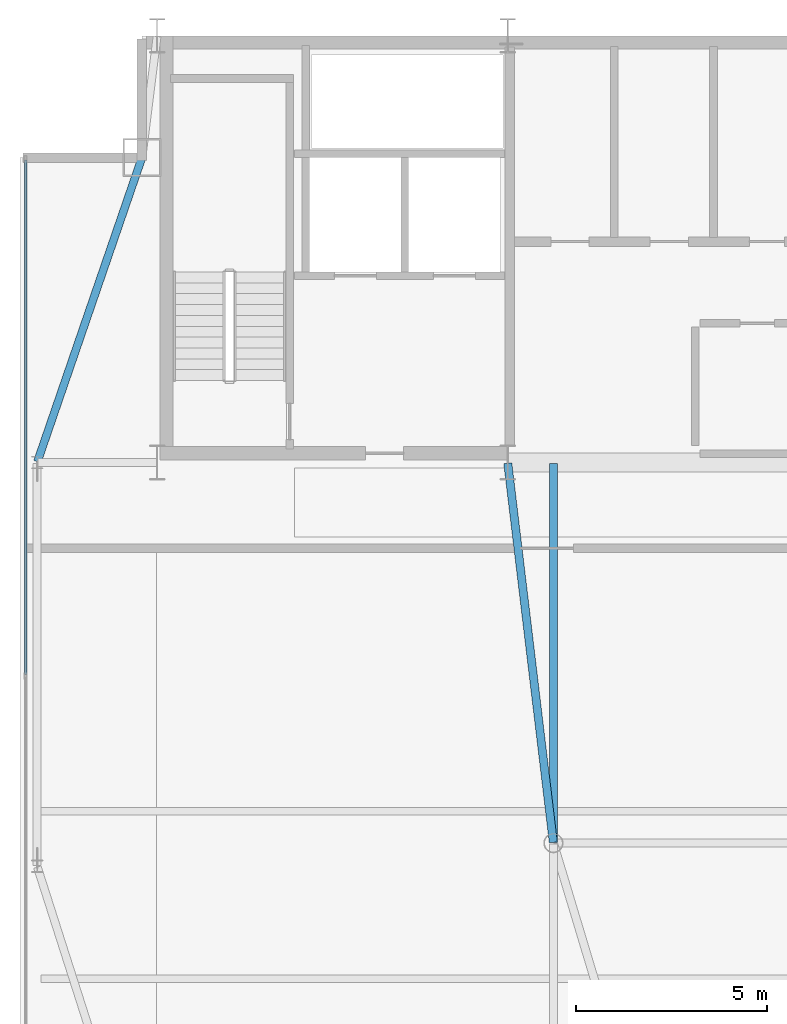
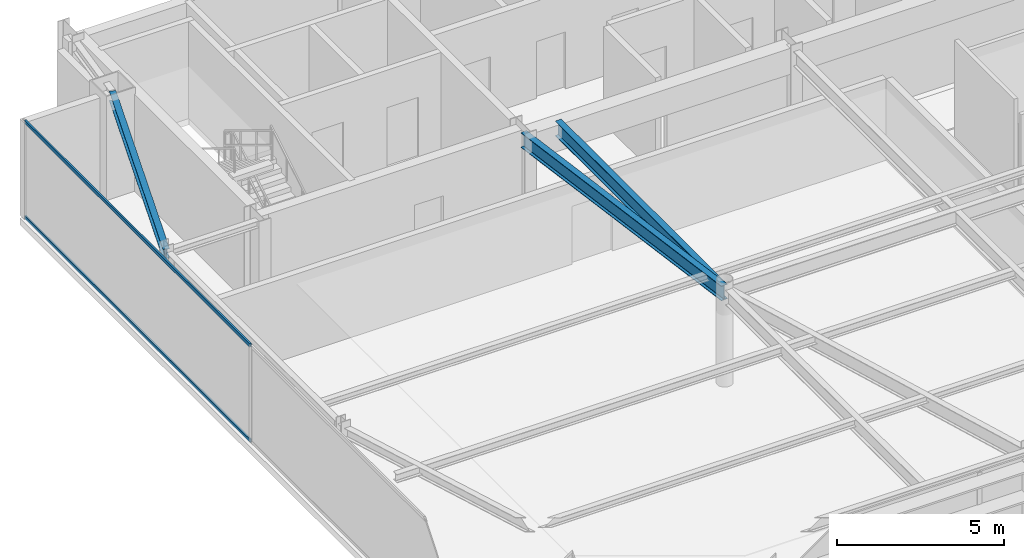
# One storey, part 11 of 24: 3 beams, 2 members, 1 element without a shape of its own.
"""IFC4 building model written with IfcOpenShell, lengths in metres."""

from ifc_helpers import new_model, si_unit, direction, frame, origin, origin_2d, place, context, subcontext, project, spatial, hollow_rectangle, i_section, extrude, source, transform, mapped, material, layer, layer_set, material_profile, profile_set, type_object, type_shapes, element, aggregate, save


model = new_model("IFC4")

# Units and contexts
model_context = context("Model", 3, precision=1e-05, world=origin(), true_north=direction((0.0, 1.0)))
body_context = subcontext(model_context, "Body", "Model", "MODEL_VIEW")
ifc_project = project(units=[si_unit("LENGTHUNIT", "METRE"), si_unit("AREAUNIT", "SQUARE_METRE"), si_unit("VOLUMEUNIT", "CUBIC_METRE"), si_unit("PLANEANGLEUNIT", "RADIAN"), si_unit("MASSUNIT", "GRAM", prefix="KILO")], contexts=[model_context])

# Site, building, storey
site_placement = place(None, origin())
site = spatial("IfcSite", under=ifc_project, at=site_placement, CompositionType="ELEMENT")
building_placement = place(site_placement, origin())
building = spatial("IfcBuilding", under=site, at=building_placement, Name="Varnel Quay Broadcast Tower", CompositionType="ELEMENT")
storey_placement = place(building_placement, frame((0.0, 0.0, 285.0)))
storey = spatial("IfcBuildingStorey", under=building, at=storey_placement, Name="L71", CompositionType="ELEMENT", Elevation=285.0)

# Beams
ifc_material_1 = material(Name="Structural Steel CSA G40.21 350W", Category="steel")
ifc_material_profile_1 = material_profile(ifc_material_1, i_section(OverallWidth=0.205078125, OverallDepth=0.35400390625, WebThickness=0.009521484375, FlangeThickness=0.016845703125, FilletRadius=0.012939453125, at=origin_2d()), Name="W360X79")
ifc_profile_set_1 = profile_set([ifc_material_profile_1], Name="Structural Steel CSA G40.21 350W")
beam_type_1 = type_object("IfcBeamType", Name="Beam_W360X79", PredefinedType="SPANDREL", material=ifc_profile_set_1)
shared_shape_1 = source(origin(), body_context, "Body", "SweptSolid", [
    extrude(i_section(OverallWidth=0.205078125, OverallDepth=0.35400390625, WebThickness=0.009521484375, FlangeThickness=0.016845703125, FilletRadius=0.012939453125, at=origin_2d()), origin(), (0.0, 0.0, 1.0), 8.41943359375),
])
type_shapes(beam_type_1, [shared_shape_1])
beam_1_placement = place(storey_placement, frame((12.45654296875, 35.618896484375, 3.373046875), z_axis=(0.325087062108, 0.945684092099, 0.0), x_axis=(-0.945684092099, 0.325087062108, 0.0)))
element("IfcBeam", 1, at=beam_1_placement, inside=storey, type_object=beam_type_1, Name="L71 West Spandrel TC-W2-MC-NW", PredefinedType="SPANDREL", context=body_context, shape_type="MappedRepresentation", body=[
    mapped(shared_shape_1, transform((0.0, 0.0, 0.0), x_axis=(1.0, 0.0, 0.0), y_axis=(0.0, 1.0, 0.0), z_axis=(0.0, 0.0, 1.0), scale=1.0)),
])
ifc_material_profile_2 = material_profile(ifc_material_1, i_section(OverallWidth=0.2119140625, OverallDepth=0.5439453125, WebThickness=0.01318359375, FlangeThickness=0.021240234375, FilletRadius=0.013916015625, at=origin_2d()), Name="W530X123")
ifc_profile_set_2 = profile_set([ifc_material_profile_2], Name="Structural Steel CSA G40.21 350W")
beam_type_2 = type_object("IfcBeamType", Name="Girder_W530X123", PredefinedType="BEAM", material=ifc_profile_set_2)
shared_shape_2 = source(origin(), body_context, "Body", "SweptSolid", [
    extrude(i_section(OverallWidth=0.2119140625, OverallDepth=0.5439453125, WebThickness=0.01318359375, FlangeThickness=0.021240234375, FilletRadius=0.013916015625, at=origin_2d()), origin(), (0.0, 0.0, 1.0), 10.021728515625),
])
beam_2_placement = place(storey_placement, frame((25.99755859375, 25.6298828125, 3.278076171875), z_axis=(-0.119248005741, 0.992864498875, 0.0), x_axis=(-0.992864498875, -0.119248005741, 0.0)))
element("IfcBeam", 2, at=beam_2_placement, inside=storey, type_object=beam_type_2, Name="L71 Primary Girder IC-01-CC-S2", PredefinedType="BEAM", context=body_context, shape_type="MappedRepresentation", body=[
    mapped(shared_shape_2, transform((0.0, 0.0, 0.0), x_axis=(1.0, 0.0, 0.0), y_axis=(0.0, 1.0, 0.0), z_axis=(0.0, 0.0, 1.0), scale=1.0)),
])
shared_shape_3 = source(origin(), body_context, "Body", "SweptSolid", [
    extrude(i_section(OverallWidth=0.2119140625, OverallDepth=0.5439453125, WebThickness=0.01318359375, FlangeThickness=0.021240234375, FilletRadius=0.013916015625, at=origin_2d()), origin(), (0.0, 0.0, 1.0), 9.9501953125),
])
type_shapes(beam_type_2, [shared_shape_2, shared_shape_3])
beam_3_placement = place(storey_placement, frame((26.0, 25.6298828125, 3.278076171875), z_axis=(0.0, 1.0, 0.0), x_axis=(-1.0, 0.0, 0.0)))
element("IfcBeam", 3, at=beam_3_placement, inside=storey, type_object=beam_type_2, Name="L71 N-S Joist Header IC-01N", PredefinedType="BEAM", context=body_context, shape_type="MappedRepresentation", body=[
    mapped(shared_shape_3, transform((0.0, 0.0, 0.0), x_axis=(1.0, 0.0, 0.0), y_axis=(0.0, 1.0, 0.0), z_axis=(0.0, 0.0, 1.0), scale=1.0)),
])

# Curtain wall, members
ifc_material_2 = material(Name="Anodised Bronze Aluminium 6063-T6", Category="aluminium")
ifc_layer = layer(ifc_material_2, 0.18994140625, Name="Anodised Bronze Aluminium 6063-T6")
ifc_layer_set = layer_set([ifc_layer], Name="Anodised Bronze Aluminium 6063-T6")
curtain_wall_type = type_object("IfcCurtainWallType", Name="CW_UpperTower", PredefinedType="NOTDEFINED", material=ifc_layer_set)
curtain_wall_placement = place(storey_placement, origin())
curtain_wall = element("IfcCurtainWall", 4, at=curtain_wall_placement, inside=storey, type_object=curtain_wall_type, Name="L71 West Unitised Curtain Wall", PredefinedType="NOTDEFINED")
ifc_material_profile_3 = material_profile(ifc_material_2, hollow_rectangle(XDim=0.06005859375, YDim=0.125, WallThickness=0.0029296875, at=origin_2d()), Name="ALU60X125X3")
ifc_profile_set_3 = profile_set([ifc_material_profile_3], Name="Anodised Bronze Aluminium 6063-T6")
member_type = type_object("IfcMemberType", Name="Tran_CWS-03", PredefinedType="USERDEFINED", material=ifc_profile_set_3)
shared_shape_4 = source(origin(), body_context, "Body", "SweptSolid", [
    extrude(hollow_rectangle(XDim=0.06005859375, YDim=0.125, WallThickness=0.0029296875, at=origin_2d()), origin(), (0.0, 0.0, 1.0), 13.50244140625),
])
type_shapes(member_type, [shared_shape_4])
member_1_placement = place(storey_placement, frame((12.14990234375, 30.032470703125, 0.030029296875), z_axis=(0.0, 1.0, 0.0), x_axis=(-1.0, 0.0, 0.0)))
member_1 = element("IfcMember", 5, at=member_1_placement, type_object=member_type, Name="CWS-03 transom 2.1", ObjectType="TRANSOM", PredefinedType="USERDEFINED", context=body_context, shape_type="MappedRepresentation", body=[
    mapped(shared_shape_4, transform((0.0, 0.0, 0.0), x_axis=(1.0, 0.0, 0.0), y_axis=(0.0, 1.0, 0.0), z_axis=(0.0, 0.0, 1.0), scale=1.0)),
])
member_2_placement = place(storey_placement, frame((12.14990234375, 30.032470703125, 3.52001953125), z_axis=(0.0, 1.0, 0.0), x_axis=(-1.0, 0.0, 0.0)))
member_2 = element("IfcMember", 6, at=member_2_placement, type_object=member_type, Name="CWS-03 transom 2.2", ObjectType="TRANSOM", PredefinedType="USERDEFINED", context=body_context, shape_type="MappedRepresentation", body=[
    mapped(shared_shape_4, transform((0.0, 0.0, 0.0), x_axis=(1.0, 0.0, 0.0), y_axis=(0.0, 1.0, 0.0), z_axis=(0.0, 0.0, 1.0), scale=1.0)),
])
aggregate(curtain_wall, [member_1, member_2])

save(model, "model.ifc")
